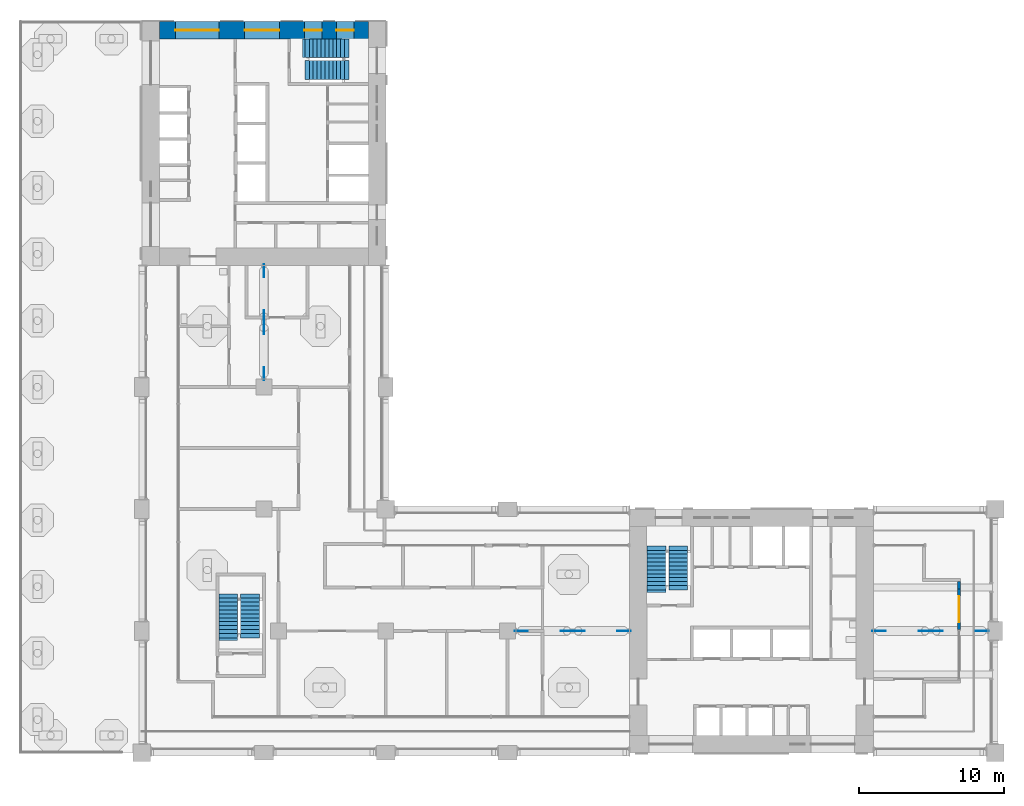
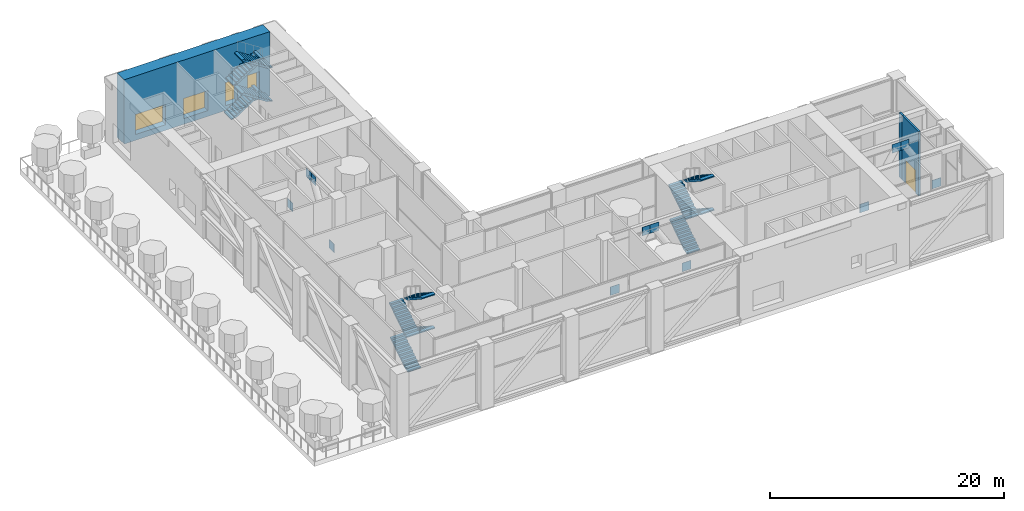
# One storey, part 13 of 22: 12 discrete accessories, 12 stair flights, 4 windows, 3 walls, 1 door, 5 openings, 3 elements without a shape of their own.
"""IFC4 building model written with IfcOpenShell, lengths in metres."""

from ifc_helpers import new_model, si_unit, direction, frame, frame_2d, origin, origin_2d, place, context, subcontext, project, spatial, polyline, rectangle, outline, extrude, material, layer, layer_set, type_object, element, fill, aggregate, save


model = new_model("IFC4")

# Units and contexts
model_context = context("Model", 3, precision=1e-05, world=origin(), true_north=direction((0.0, 1.0)))
body_context = subcontext(model_context, "Body", "Model", "MODEL_VIEW")
ifc_project = project(units=[si_unit("LENGTHUNIT", "METRE"), si_unit("AREAUNIT", "SQUARE_METRE"), si_unit("VOLUMEUNIT", "CUBIC_METRE"), si_unit("PLANEANGLEUNIT", "RADIAN"), si_unit("MASSUNIT", "GRAM", prefix="KILO")], contexts=[model_context])

# Site, building, storey
site_placement = place(None, origin())
site = spatial("IfcSite", under=ifc_project, at=site_placement, CompositionType="ELEMENT")
building_placement = place(site_placement, origin())
building = spatial("IfcBuilding", under=site, at=building_placement, Name="Vermilion Gate Residences", CompositionType="ELEMENT")
storey_placement = place(building_placement, frame((0.0, 0.0, 140.699951171875)))
storey = spatial("IfcBuildingStorey", under=building, at=storey_placement, Name="L36", CompositionType="ELEMENT", Elevation=140.699951171875)

# Wall, opening, door
ifc_material_1 = material(Name="Insulated steel stud wall with terracotta rainscreen", Category="masonry")
ifc_layer_1 = layer(ifc_material_1, 0.199951171875)
ifc_layer_set_1 = layer_set([ifc_layer_1], Name="EXTERNAL WALL 200 TERRACOTTA RAINSCREEN")
wall_type_1 = type_object("IfcWallType", Name="EXTERNAL WALL 200 TERRACOTTA RAINSCREEN", PredefinedType="SOLIDWALL", material=ifc_layer_set_1)
wall_1_placement = place(storey_placement, frame((64.699951171875, 16.89990234375, 0.0), z_axis=(0.0, 0.0, 1.0), x_axis=(0.0, 1.0, 0.0)))
wall_1 = element("IfcWall", 1, at=wall_1_placement, inside=storey, type_object=wall_type_1, Name="External wall", PredefinedType="SOLIDWALL", context=body_context, shape_type="SweptSolid", body=[
    extrude(rectangle(XDim=2.800048828125, YDim=0.199951171875, at=frame_2d((1.39990234375, 0.0))), origin(), (0.0, 0.0, 1.0), 6.719970703125),
])
opening_1_placement = place(wall_1_placement, frame((0.5, 0.0, 0.0)))
opening_1 = element("IfcOpeningElement", 2, at=opening_1_placement, cuts=wall_1, Name="Opening DE36002", PredefinedType="OPENING", context=body_context, shape_type="SweptSolid", body=[
    extrude(rectangle(XDim=1.800048828125, YDim=2.39990234375, at=frame_2d((0.89990234375, 1.199951171875))), frame((0.0, 0.10986328125, 0.0), z_axis=(0.0, -1.0, 0.0), x_axis=(1.0, 0.0, 0.0)), (0.0, 0.0, 1.0), 0.219970703125),
])
ifc_material_2 = material(Name="Aluminium and clear glass", Category="aluminium")
door_type = type_object("IfcDoorType", Name="GLAZED EXTERNAL DOOR 1800 X 2400", OperationType="DOUBLE_DOOR_SINGLE_SWING", PredefinedType="DOOR", material=ifc_material_2)
door_placement = place(opening_1_placement, frame((1.800048828125, 0.0, 0.0), z_axis=(0.0, 0.0, 1.0), x_axis=(-1.0, 0.0, 0.0)))
door = element("IfcDoor", 3, at=door_placement, inside=storey, type_object=door_type, Name="Terrace door", OperationType="DOUBLE_DOOR_SINGLE_SWING", OverallHeight=2.39990234375, OverallWidth=1.800048828125, PredefinedType="DOOR", context=body_context, shape_type="SweptSolid", body=[
    extrude(rectangle(XDim=1.800048828125, YDim=2.39990234375, at=frame_2d((0.89990234375, 1.199951171875))), frame((0.0, 0.02490234375, 0.0), z_axis=(0.0, -1.0, 0.0), x_axis=(1.0, 0.0, 0.0)), (0.0, 0.0, 1.0), 0.050048828125),
])
fill(opening_1, door)

# Wall
wall_2_placement = place(storey_placement, frame((64.699951171875, 19.699951171875, 0.0), z_axis=(0.0, 0.0, 1.0), x_axis=(0.0, 1.0, 0.0)))
element("IfcWall", 4, at=wall_2_placement, inside=storey, type_object=wall_type_1, Name="External wall", PredefinedType="SOLIDWALL", context=body_context, shape_type="SweptSolid", body=[
    extrude(rectangle(XDim=0.5, YDim=0.199951171875, at=frame_2d((0.25, 0.0))), origin(), (0.0, 0.0, 1.0), 6.719970703125),
])

# Wall, openings, windows
ifc_material_3 = material(Name="Concrete C70 red-oxide pigmented", Category="concrete")
ifc_layer_2 = layer(ifc_material_3, 1.199951171875)
ifc_layer_set_2 = layer_set([ifc_layer_2], Name="RC CORE WALL 1200 C70 RED OXIDE")
wall_type_2 = type_object("IfcWallType", Name="RC CORE WALL 1200 C70 RED OXIDE", PredefinedType="SHEAR", material=ifc_layer_set_2)
wall_3_placement = place(storey_placement, frame((9.60009765625, 58.199951171875, 0.0), z_axis=(0.0, 0.0, 1.0), x_axis=(1.0, 0.0, 0.0)))
wall_3 = element("IfcWall", 5, at=wall_3_placement, inside=storey, type_object=wall_type_2, Name="Core wall B36-OUT-FR", PredefinedType="SHEAR", context=body_context, shape_type="SweptSolid", body=[
    extrude(rectangle(XDim=14.39990234375, YDim=1.199951171875, at=frame_2d((7.199951171875, 0.0))), origin(), (0.0, 0.0, 1.0), 6.719970703125),
])
opening_2_placement = place(wall_3_placement, frame((1.10498046875, 0.0, 0.60009765625)))
opening_2 = element("IfcOpeningElement", 6, at=opening_2_placement, cuts=wall_3, Name="Opening WKB3610", PredefinedType="OPENING", context=body_context, shape_type="SweptSolid", body=[
    extrude(rectangle(XDim=3.0, YDim=2.10009765625, at=frame_2d((1.5, 1.050048828125))), frame((0.0, 0.60986328125, 0.0), z_axis=(0.0, -1.0, 0.0), x_axis=(1.0, 0.0, 0.0)), (0.0, 0.0, 1.0), 1.219970703125),
])
opening_3_placement = place(wall_3_placement, frame((5.875, 0.0, 0.60009765625)))
opening_3 = element("IfcOpeningElement", 7, at=opening_3_placement, cuts=wall_3, Name="Opening WKB3611", PredefinedType="OPENING", context=body_context, shape_type="SweptSolid", body=[
    extrude(rectangle(XDim=2.39990234375, YDim=2.10009765625, at=frame_2d((1.199951171875, 1.050048828125))), frame((0.0, 0.60986328125, 0.0), z_axis=(0.0, -1.0, 0.0), x_axis=(1.0, 0.0, 0.0)), (0.0, 0.0, 1.0), 1.219970703125),
])
opening_4_placement = place(wall_3_placement, frame((9.993408203125, 0.0, 0.5)))
opening_4 = element("IfcOpeningElement", 8, at=opening_4_placement, cuts=wall_3, Name="Opening WKB3612", PredefinedType="OPENING", context=body_context, shape_type="SweptSolid", body=[
    extrude(rectangle(XDim=1.199951171875, YDim=2.39990234375, at=frame_2d((0.60009765625, 1.199951171875))), frame((0.0, 0.60986328125, 0.0), z_axis=(0.0, -1.0, 0.0), x_axis=(1.0, 0.0, 0.0)), (0.0, 0.0, 1.0), 1.219970703125),
])
opening_5_placement = place(wall_3_placement, frame((12.19677734375, 0.0, 0.5)))
opening_5 = element("IfcOpeningElement", 9, at=opening_5_placement, cuts=wall_3, Name="Opening WKB3613", PredefinedType="OPENING", context=body_context, shape_type="SweptSolid", body=[
    extrude(rectangle(XDim=1.199951171875, YDim=2.39990234375, at=frame_2d((0.60009765625, 1.199951171875))), frame((0.0, 0.60986328125, 0.0), z_axis=(0.0, -1.0, 0.0), x_axis=(1.0, 0.0, 0.0)), (0.0, 0.0, 1.0), 1.219970703125),
])
ifc_material_4 = material(Name="Aluminium and clear glass", Category="aluminium")
window_type_1 = type_object("IfcWindowType", Name="CORE LOBBY WINDOW 2400 X 2100", PartitioningType="SINGLE_PANEL", PredefinedType="WINDOW", material=ifc_material_4)
window_1_placement = place(opening_3_placement, origin())
window_1 = element("IfcWindow", 10, at=window_1_placement, inside=storey, type_object=window_type_1, Name="Core lobby window", OverallHeight=2.10009765625, OverallWidth=2.39990234375, PartitioningType="SINGLE_PANEL", PredefinedType="WINDOW", context=body_context, shape_type="SweptSolid", body=[
    extrude(rectangle(XDim=2.39990234375, YDim=2.10009765625, at=frame_2d((1.199951171875, 1.050048828125))), frame((0.0, 0.030029296875, 0.0), z_axis=(0.0, -1.0, 0.0), x_axis=(1.0, 0.0, 0.0)), (0.0, 0.0, 1.0), 0.06005859375),
])
fill(opening_3, window_1)
ifc_material_5 = material(Name="Aluminium and clear glass", Category="aluminium")
window_type_2 = type_object("IfcWindowType", Name="CORE LOBBY WINDOW 3000 X 2100", PartitioningType="SINGLE_PANEL", PredefinedType="WINDOW", material=ifc_material_5)
window_2_placement = place(opening_2_placement, origin())
window_2 = element("IfcWindow", 11, at=window_2_placement, inside=storey, type_object=window_type_2, Name="Core lobby window", OverallHeight=2.10009765625, OverallWidth=3.0, PartitioningType="SINGLE_PANEL", PredefinedType="WINDOW", context=body_context, shape_type="SweptSolid", body=[
    extrude(rectangle(XDim=3.0, YDim=2.10009765625, at=frame_2d((1.5, 1.050048828125))), frame((0.0, 0.030029296875, 0.0), z_axis=(0.0, -1.0, 0.0), x_axis=(1.0, 0.0, 0.0)), (0.0, 0.0, 1.0), 0.06005859375),
])
fill(opening_2, window_2)
ifc_material_6 = material(Name="Aluminium and clear glass", Category="aluminium")
window_type_3 = type_object("IfcWindowType", Name="CORE STAIR WINDOW 1200 X 2400", PartitioningType="SINGLE_PANEL", PredefinedType="WINDOW", material=ifc_material_6)
window_3_placement = place(opening_4_placement, origin())
window_3 = element("IfcWindow", 12, at=window_3_placement, inside=storey, type_object=window_type_3, Name="Core stair window", OverallHeight=2.39990234375, OverallWidth=1.199951171875, PartitioningType="SINGLE_PANEL", PredefinedType="WINDOW", context=body_context, shape_type="SweptSolid", body=[
    extrude(rectangle(XDim=1.199951171875, YDim=2.39990234375, at=frame_2d((0.60009765625, 1.199951171875))), frame((0.0, 0.030029296875, 0.0), z_axis=(0.0, -1.0, 0.0), x_axis=(1.0, 0.0, 0.0)), (0.0, 0.0, 1.0), 0.06005859375),
])
fill(opening_4, window_3)
window_4_placement = place(opening_5_placement, origin())
window_4 = element("IfcWindow", 13, at=window_4_placement, inside=storey, type_object=window_type_3, Name="Core stair window", OverallHeight=2.39990234375, OverallWidth=1.199951171875, PartitioningType="SINGLE_PANEL", PredefinedType="WINDOW", context=body_context, shape_type="SweptSolid", body=[
    extrude(rectangle(XDim=1.199951171875, YDim=2.39990234375, at=frame_2d((0.60009765625, 1.199951171875))), frame((0.0, 0.030029296875, 0.0), z_axis=(0.0, -1.0, 0.0), x_axis=(1.0, 0.0, 0.0)), (0.0, 0.0, 1.0), 0.06005859375),
])
fill(opening_5, window_4)

# Stair, stair flights
ifc_material_7 = material(Name="Concrete C50", Category="concrete")
stair_type = type_object("IfcStairType", Name="SPECIAL ESCAPE STAIR 1300", PredefinedType="HALF_TURN_STAIR", material=ifc_material_7)
stair_1_placement = place(storey_placement, origin())
stair_1 = element("IfcStair", 14, at=stair_1_placement, inside=storey, type_object=stair_type, Name="Special escape stair STA1-36", PredefinedType="HALF_TURN_STAIR")
ifc_material_8 = material(Name="Concrete C50", Category="concrete")
stair_flight_type = type_object("IfcStairFlightType", Name="STAIR FLIGHT 1300 RC C50", PredefinedType="STRAIGHT", material=ifc_material_8)
stair_flight_1_placement = place(storey_placement, frame((43.85009765625, 19.75, 0.0), z_axis=(0.0, 0.0, 1.0), x_axis=(0.0, 1.0, 0.0)))
stair_flight_1 = element("IfcStairFlight", 15, at=stair_flight_1_placement, type_object=stair_flight_type, Name="STA1-36 flight 1", NumberOfRisers=10, NumberOfTreads=9, PredefinedType="STRAIGHT", RiserHeight=0.175, TreadLength=0.27, context=body_context, shape_type="SweptSolid", body=[
    extrude(outline(polyline([(-0.300048828125, -0.14990234375), (-0.300048828125, -0.030029296875), (0.0, 0.0), (0.0, 0.175048828125), (0.27001953125, 0.175048828125), (0.27001953125, 0.35009765625), (0.5400390625, 0.35009765625), (0.5400390625, 0.52490234375), (0.81005859375, 0.52490234375), (0.81005859375, 0.699951171875), (1.080078125, 0.699951171875), (1.080078125, 0.875), (1.35009765625, 0.875), (1.35009765625, 1.050048828125), (1.6201171875, 1.050048828125), (1.6201171875, 1.22509765625), (1.889892578125, 1.22509765625), (1.889892578125, 1.39990234375), (2.159912109375, 1.39990234375), (2.159912109375, 1.574951171875), (2.429931640625, 1.574951171875), (2.429931640625, 1.75), (2.72998046875, 1.719970703125), (2.72998046875, 1.60009765625), (2.429931640625, 1.396484375), (0.275634765625, 0.0), (-0.300048828125, -0.14990234375)])), frame((0.0, 0.64990234375, 0.0), z_axis=(0.0, -1.0, 0.0), x_axis=(1.0, 0.0, 0.0)), (0.0, 0.0, 1.0), 1.300048828125),
])
stair_flight_2_placement = place(storey_placement, frame((45.35009765625, 22.360107421875, 1.75), z_axis=(0.0, 0.0, 1.0), x_axis=(0.0, -1.0, 0.0)))
stair_flight_2 = element("IfcStairFlight", 16, at=stair_flight_2_placement, type_object=stair_flight_type, Name="STA1-36 flight 2", NumberOfRisers=10, NumberOfTreads=9, PredefinedType="STRAIGHT", RiserHeight=0.175, TreadLength=0.27, context=body_context, shape_type="SweptSolid", body=[
    extrude(outline(polyline([(-0.300048828125, -0.14990234375), (-0.300048828125, -0.030029296875), (0.0, 0.0), (0.0, 0.175048828125), (0.27001953125, 0.175048828125), (0.27001953125, 0.35009765625), (0.5400390625, 0.35009765625), (0.5400390625, 0.52490234375), (0.81005859375, 0.52490234375), (0.81005859375, 0.699951171875), (1.080078125, 0.699951171875), (1.080078125, 0.875), (1.35009765625, 0.875), (1.35009765625, 1.050048828125), (1.6201171875, 1.050048828125), (1.6201171875, 1.22509765625), (1.889892578125, 1.22509765625), (1.889892578125, 1.39990234375), (2.159912109375, 1.39990234375), (2.159912109375, 1.574951171875), (2.429931640625, 1.574951171875), (2.429931640625, 1.75), (2.72998046875, 1.719970703125), (2.72998046875, 1.60009765625), (2.429931640625, 1.396484375), (0.275634765625, 0.0), (-0.300048828125, -0.14990234375)])), frame((0.0, 0.64990234375, 0.0), z_axis=(0.0, -1.0, 0.0), x_axis=(1.0, 0.0, 0.0)), (0.0, 0.0, 1.0), 1.300048828125),
])
stair_flight_3_placement = place(storey_placement, frame((43.85009765625, 19.929931640625, 3.5), z_axis=(0.0, 0.0, 1.0), x_axis=(0.0, 1.0, 0.0)))
stair_flight_3 = element("IfcStairFlight", 17, at=stair_flight_3_placement, type_object=stair_flight_type, Name="STA1-36 flight 3", NumberOfRisers=10, NumberOfTreads=9, PredefinedType="STRAIGHT", RiserHeight=0.175, TreadLength=0.27, context=body_context, shape_type="SweptSolid", body=[
    extrude(outline(polyline([(-0.300048828125, -0.14990234375), (-0.300048828125, -0.030029296875), (0.0, 0.0), (0.0, 0.175048828125), (0.27001953125, 0.175048828125), (0.27001953125, 0.35009765625), (0.5400390625, 0.35009765625), (0.5400390625, 0.52490234375), (0.81005859375, 0.52490234375), (0.81005859375, 0.699951171875), (1.080078125, 0.699951171875), (1.080078125, 0.875), (1.35009765625, 0.875), (1.35009765625, 1.050048828125), (1.6201171875, 1.050048828125), (1.6201171875, 1.22509765625), (1.889892578125, 1.22509765625), (1.889892578125, 1.39990234375), (2.159912109375, 1.39990234375), (2.159912109375, 1.574951171875), (2.429931640625, 1.574951171875), (2.429931640625, 1.75), (2.72998046875, 1.719970703125), (2.72998046875, 1.60009765625), (2.429931640625, 1.396484375), (0.275634765625, 0.0), (-0.300048828125, -0.14990234375)])), frame((0.0, 0.64990234375, 0.0), z_axis=(0.0, -1.0, 0.0), x_axis=(1.0, 0.0, 0.0)), (0.0, 0.0, 1.0), 1.300048828125),
])
stair_flight_4_placement = place(storey_placement, frame((45.35009765625, 22.360107421875, 5.25), z_axis=(0.0, 0.0, 1.0), x_axis=(0.0, -1.0, 0.0)))
stair_flight_4 = element("IfcStairFlight", 18, at=stair_flight_4_placement, type_object=stair_flight_type, Name="STA1-36 flight 4", NumberOfRisers=10, NumberOfTreads=9, PredefinedType="STRAIGHT", RiserHeight=0.175, TreadLength=0.27, context=body_context, shape_type="SweptSolid", body=[
    extrude(outline(polyline([(-0.300048828125, -0.14990234375), (-0.300048828125, -0.030029296875), (0.0, 0.0), (0.0, 0.175048828125), (0.27001953125, 0.175048828125), (0.27001953125, 0.35009765625), (0.5400390625, 0.35009765625), (0.5400390625, 0.52490234375), (0.81005859375, 0.52490234375), (0.81005859375, 0.699951171875), (1.080078125, 0.699951171875), (1.080078125, 0.875), (1.35009765625, 0.875), (1.35009765625, 1.050048828125), (1.6201171875, 1.050048828125), (1.6201171875, 1.22509765625), (1.889892578125, 1.22509765625), (1.889892578125, 1.39990234375), (2.159912109375, 1.39990234375), (2.159912109375, 1.574951171875), (2.429931640625, 1.574951171875), (2.429931640625, 1.75), (2.72998046875, 1.719970703125), (2.72998046875, 1.60009765625), (2.429931640625, 1.396484375), (0.275634765625, 0.0), (-0.300048828125, -0.14990234375)])), frame((0.0, 0.64990234375, 0.0), z_axis=(0.0, -1.0, 0.0), x_axis=(1.0, 0.0, 0.0)), (0.0, 0.0, 1.0), 1.300048828125),
])
aggregate(stair_1, [stair_flight_1, stair_flight_2, stair_flight_3, stair_flight_4])

stair_2_placement = place(storey_placement, origin())
stair_2 = element("IfcStair", 19, at=stair_2_placement, inside=storey, type_object=stair_type, Name="Special escape stair STB1-36", PredefinedType="HALF_TURN_STAIR")
stair_flight_5_placement = place(storey_placement, frame((19.75, 56.949951171875, 0.0), z_axis=(0.0, 0.0, 1.0), x_axis=(1.0, 0.0, 0.0)))
stair_flight_5 = element("IfcStairFlight", 20, at=stair_flight_5_placement, type_object=stair_flight_type, Name="STB1-36 flight 1", NumberOfRisers=10, NumberOfTreads=9, PredefinedType="STRAIGHT", RiserHeight=0.175, TreadLength=0.27, context=body_context, shape_type="SweptSolid", body=[
    extrude(outline(polyline([(-0.300048828125, -0.14990234375), (-0.300048828125, -0.030029296875), (0.0, 0.0), (0.0, 0.175048828125), (0.27001953125, 0.175048828125), (0.27001953125, 0.35009765625), (0.5400390625, 0.35009765625), (0.5400390625, 0.52490234375), (0.81005859375, 0.52490234375), (0.81005859375, 0.699951171875), (1.080078125, 0.699951171875), (1.080078125, 0.875), (1.35009765625, 0.875), (1.35009765625, 1.050048828125), (1.6201171875, 1.050048828125), (1.6201171875, 1.22509765625), (1.889892578125, 1.22509765625), (1.889892578125, 1.39990234375), (2.159912109375, 1.39990234375), (2.159912109375, 1.574951171875), (2.429931640625, 1.574951171875), (2.429931640625, 1.75), (2.72998046875, 1.719970703125), (2.72998046875, 1.60009765625), (2.429931640625, 1.396484375), (0.275634765625, 0.0), (-0.300048828125, -0.14990234375)])), frame((0.0, 0.64990234375, 0.0), z_axis=(0.0, -1.0, 0.0), x_axis=(1.0, 0.0, 0.0)), (0.0, 0.0, 1.0), 1.300048828125),
])
stair_flight_6_placement = place(storey_placement, frame((22.360107421875, 55.449951171875, 1.75), z_axis=(0.0, 0.0, 1.0), x_axis=(-1.0, 0.0, 0.0)))
stair_flight_6 = element("IfcStairFlight", 21, at=stair_flight_6_placement, type_object=stair_flight_type, Name="STB1-36 flight 2", NumberOfRisers=10, NumberOfTreads=9, PredefinedType="STRAIGHT", RiserHeight=0.175, TreadLength=0.27, context=body_context, shape_type="SweptSolid", body=[
    extrude(outline(polyline([(-0.300048828125, -0.14990234375), (-0.300048828125, -0.030029296875), (0.0, 0.0), (0.0, 0.175048828125), (0.27001953125, 0.175048828125), (0.27001953125, 0.35009765625), (0.5400390625, 0.35009765625), (0.5400390625, 0.52490234375), (0.81005859375, 0.52490234375), (0.81005859375, 0.699951171875), (1.080078125, 0.699951171875), (1.080078125, 0.875), (1.35009765625, 0.875), (1.35009765625, 1.050048828125), (1.6201171875, 1.050048828125), (1.6201171875, 1.22509765625), (1.889892578125, 1.22509765625), (1.889892578125, 1.39990234375), (2.159912109375, 1.39990234375), (2.159912109375, 1.574951171875), (2.429931640625, 1.574951171875), (2.429931640625, 1.75), (2.72998046875, 1.719970703125), (2.72998046875, 1.60009765625), (2.429931640625, 1.396484375), (0.275634765625, 0.0), (-0.300048828125, -0.14990234375)])), frame((0.0, 0.64990234375, 0.0), z_axis=(0.0, -1.0, 0.0), x_axis=(1.0, 0.0, 0.0)), (0.0, 0.0, 1.0), 1.300048828125),
])
stair_flight_7_placement = place(storey_placement, frame((19.929931640625, 56.949951171875, 3.5), z_axis=(0.0, 0.0, 1.0), x_axis=(1.0, 0.0, 0.0)))
stair_flight_7 = element("IfcStairFlight", 22, at=stair_flight_7_placement, type_object=stair_flight_type, Name="STB1-36 flight 3", NumberOfRisers=10, NumberOfTreads=9, PredefinedType="STRAIGHT", RiserHeight=0.175, TreadLength=0.27, context=body_context, shape_type="SweptSolid", body=[
    extrude(outline(polyline([(-0.300048828125, -0.14990234375), (-0.300048828125, -0.030029296875), (0.0, 0.0), (0.0, 0.175048828125), (0.27001953125, 0.175048828125), (0.27001953125, 0.35009765625), (0.5400390625, 0.35009765625), (0.5400390625, 0.52490234375), (0.81005859375, 0.52490234375), (0.81005859375, 0.699951171875), (1.080078125, 0.699951171875), (1.080078125, 0.875), (1.35009765625, 0.875), (1.35009765625, 1.050048828125), (1.6201171875, 1.050048828125), (1.6201171875, 1.22509765625), (1.889892578125, 1.22509765625), (1.889892578125, 1.39990234375), (2.159912109375, 1.39990234375), (2.159912109375, 1.574951171875), (2.429931640625, 1.574951171875), (2.429931640625, 1.75), (2.72998046875, 1.719970703125), (2.72998046875, 1.60009765625), (2.429931640625, 1.396484375), (0.275634765625, 0.0), (-0.300048828125, -0.14990234375)])), frame((0.0, 0.64990234375, 0.0), z_axis=(0.0, -1.0, 0.0), x_axis=(1.0, 0.0, 0.0)), (0.0, 0.0, 1.0), 1.300048828125),
])
stair_flight_8_placement = place(storey_placement, frame((22.360107421875, 55.449951171875, 5.25), z_axis=(0.0, 0.0, 1.0), x_axis=(-1.0, 0.0, 0.0)))
stair_flight_8 = element("IfcStairFlight", 23, at=stair_flight_8_placement, type_object=stair_flight_type, Name="STB1-36 flight 4", NumberOfRisers=10, NumberOfTreads=9, PredefinedType="STRAIGHT", RiserHeight=0.175, TreadLength=0.27, context=body_context, shape_type="SweptSolid", body=[
    extrude(outline(polyline([(-0.300048828125, -0.14990234375), (-0.300048828125, -0.030029296875), (0.0, 0.0), (0.0, 0.175048828125), (0.27001953125, 0.175048828125), (0.27001953125, 0.35009765625), (0.5400390625, 0.35009765625), (0.5400390625, 0.52490234375), (0.81005859375, 0.52490234375), (0.81005859375, 0.699951171875), (1.080078125, 0.699951171875), (1.080078125, 0.875), (1.35009765625, 0.875), (1.35009765625, 1.050048828125), (1.6201171875, 1.050048828125), (1.6201171875, 1.22509765625), (1.889892578125, 1.22509765625), (1.889892578125, 1.39990234375), (2.159912109375, 1.39990234375), (2.159912109375, 1.574951171875), (2.429931640625, 1.574951171875), (2.429931640625, 1.75), (2.72998046875, 1.719970703125), (2.72998046875, 1.60009765625), (2.429931640625, 1.396484375), (0.275634765625, 0.0), (-0.300048828125, -0.14990234375)])), frame((0.0, 0.64990234375, 0.0), z_axis=(0.0, -1.0, 0.0), x_axis=(1.0, 0.0, 0.0)), (0.0, 0.0, 1.0), 1.300048828125),
])
aggregate(stair_2, [stair_flight_5, stair_flight_6, stair_flight_7, stair_flight_8])

stair_3_placement = place(storey_placement, origin())
stair_3 = element("IfcStair", 24, at=stair_3_placement, inside=storey, type_object=stair_type, Name="Special escape stair STC1-36", PredefinedType="HALF_TURN_STAIR")
stair_flight_9_placement = place(storey_placement, frame((14.35009765625, 16.449951171875, 0.0), z_axis=(0.0, 0.0, 1.0), x_axis=(0.0, 1.0, 0.0)))
stair_flight_9 = element("IfcStairFlight", 25, at=stair_flight_9_placement, type_object=stair_flight_type, Name="STC1-36 flight 1", NumberOfRisers=10, NumberOfTreads=9, PredefinedType="STRAIGHT", RiserHeight=0.175, TreadLength=0.27, context=body_context, shape_type="SweptSolid", body=[
    extrude(outline(polyline([(-0.300048828125, -0.14990234375), (-0.300048828125, -0.030029296875), (0.0, 0.0), (0.0, 0.175048828125), (0.27001953125, 0.175048828125), (0.27001953125, 0.35009765625), (0.5400390625, 0.35009765625), (0.5400390625, 0.52490234375), (0.81005859375, 0.52490234375), (0.81005859375, 0.699951171875), (1.080078125, 0.699951171875), (1.080078125, 0.875), (1.35009765625, 0.875), (1.35009765625, 1.050048828125), (1.6201171875, 1.050048828125), (1.6201171875, 1.22509765625), (1.889892578125, 1.22509765625), (1.889892578125, 1.39990234375), (2.159912109375, 1.39990234375), (2.159912109375, 1.574951171875), (2.429931640625, 1.574951171875), (2.429931640625, 1.75), (2.72998046875, 1.719970703125), (2.72998046875, 1.60009765625), (2.429931640625, 1.396484375), (0.275634765625, 0.0), (-0.300048828125, -0.14990234375)])), frame((0.0, 0.64990234375, 0.0), z_axis=(0.0, -1.0, 0.0), x_axis=(1.0, 0.0, 0.0)), (0.0, 0.0, 1.0), 1.300048828125),
])
stair_flight_10_placement = place(storey_placement, frame((15.85009765625, 19.06005859375, 1.75), z_axis=(0.0, 0.0, 1.0), x_axis=(0.0, -1.0, 0.0)))
stair_flight_10 = element("IfcStairFlight", 26, at=stair_flight_10_placement, type_object=stair_flight_type, Name="STC1-36 flight 2", NumberOfRisers=10, NumberOfTreads=9, PredefinedType="STRAIGHT", RiserHeight=0.175, TreadLength=0.27, context=body_context, shape_type="SweptSolid", body=[
    extrude(outline(polyline([(-0.300048828125, -0.14990234375), (-0.300048828125, -0.030029296875), (0.0, 0.0), (0.0, 0.175048828125), (0.27001953125, 0.175048828125), (0.27001953125, 0.35009765625), (0.5400390625, 0.35009765625), (0.5400390625, 0.52490234375), (0.81005859375, 0.52490234375), (0.81005859375, 0.699951171875), (1.080078125, 0.699951171875), (1.080078125, 0.875), (1.35009765625, 0.875), (1.35009765625, 1.050048828125), (1.6201171875, 1.050048828125), (1.6201171875, 1.22509765625), (1.889892578125, 1.22509765625), (1.889892578125, 1.39990234375), (2.159912109375, 1.39990234375), (2.159912109375, 1.574951171875), (2.429931640625, 1.574951171875), (2.429931640625, 1.75), (2.72998046875, 1.719970703125), (2.72998046875, 1.60009765625), (2.429931640625, 1.396484375), (0.275634765625, 0.0), (-0.300048828125, -0.14990234375)])), frame((0.0, 0.64990234375, 0.0), z_axis=(0.0, -1.0, 0.0), x_axis=(1.0, 0.0, 0.0)), (0.0, 0.0, 1.0), 1.300048828125),
])
stair_flight_11_placement = place(storey_placement, frame((14.35009765625, 16.6298828125, 3.5), z_axis=(0.0, 0.0, 1.0), x_axis=(0.0, 1.0, 0.0)))
stair_flight_11 = element("IfcStairFlight", 27, at=stair_flight_11_placement, type_object=stair_flight_type, Name="STC1-36 flight 3", NumberOfRisers=10, NumberOfTreads=9, PredefinedType="STRAIGHT", RiserHeight=0.175, TreadLength=0.27, context=body_context, shape_type="SweptSolid", body=[
    extrude(outline(polyline([(-0.300048828125, -0.14990234375), (-0.300048828125, -0.030029296875), (0.0, 0.0), (0.0, 0.175048828125), (0.27001953125, 0.175048828125), (0.27001953125, 0.35009765625), (0.5400390625, 0.35009765625), (0.5400390625, 0.52490234375), (0.81005859375, 0.52490234375), (0.81005859375, 0.699951171875), (1.080078125, 0.699951171875), (1.080078125, 0.875), (1.35009765625, 0.875), (1.35009765625, 1.050048828125), (1.6201171875, 1.050048828125), (1.6201171875, 1.22509765625), (1.889892578125, 1.22509765625), (1.889892578125, 1.39990234375), (2.159912109375, 1.39990234375), (2.159912109375, 1.574951171875), (2.429931640625, 1.574951171875), (2.429931640625, 1.75), (2.72998046875, 1.719970703125), (2.72998046875, 1.60009765625), (2.429931640625, 1.396484375), (0.275634765625, 0.0), (-0.300048828125, -0.14990234375)])), frame((0.0, 0.64990234375, 0.0), z_axis=(0.0, -1.0, 0.0), x_axis=(1.0, 0.0, 0.0)), (0.0, 0.0, 1.0), 1.300048828125),
])
stair_flight_12_placement = place(storey_placement, frame((15.85009765625, 19.06005859375, 5.25), z_axis=(0.0, 0.0, 1.0), x_axis=(0.0, -1.0, 0.0)))
stair_flight_12 = element("IfcStairFlight", 28, at=stair_flight_12_placement, type_object=stair_flight_type, Name="STC1-36 flight 4", NumberOfRisers=10, NumberOfTreads=9, PredefinedType="STRAIGHT", RiserHeight=0.175, TreadLength=0.27, context=body_context, shape_type="SweptSolid", body=[
    extrude(outline(polyline([(-0.300048828125, -0.14990234375), (-0.300048828125, -0.030029296875), (0.0, 0.0), (0.0, 0.175048828125), (0.27001953125, 0.175048828125), (0.27001953125, 0.35009765625), (0.5400390625, 0.35009765625), (0.5400390625, 0.52490234375), (0.81005859375, 0.52490234375), (0.81005859375, 0.699951171875), (1.080078125, 0.699951171875), (1.080078125, 0.875), (1.35009765625, 0.875), (1.35009765625, 1.050048828125), (1.6201171875, 1.050048828125), (1.6201171875, 1.22509765625), (1.889892578125, 1.22509765625), (1.889892578125, 1.39990234375), (2.159912109375, 1.39990234375), (2.159912109375, 1.574951171875), (2.429931640625, 1.574951171875), (2.429931640625, 1.75), (2.72998046875, 1.719970703125), (2.72998046875, 1.60009765625), (2.429931640625, 1.396484375), (0.275634765625, 0.0), (-0.300048828125, -0.14990234375)])), frame((0.0, 0.64990234375, 0.0), z_axis=(0.0, -1.0, 0.0), x_axis=(1.0, 0.0, 0.0)), (0.0, 0.0, 1.0), 1.300048828125),
])
aggregate(stair_3, [stair_flight_9, stair_flight_10, stair_flight_11, stair_flight_12])

# Discrete accessories
for number, where, z_axis, x_axis, name in (
    (29, (41.615966796875, 16.800048828125, 0.35009765625), (0.0, 0.0, 1.0), (1.0, 0.0, 0.0), "Gusset plate O36OUT5D1 1"),
    (30, (38.458984375, 16.800048828125, 5.47021484375), (0.0, 0.0, 1.0), (1.0, 0.0, 0.0), "Gusset plate O36OUT5D1 2"),
    (31, (37.69091796875, 16.800048828125, 5.47021484375), (0.0, 0.0, 1.0), (1.0, 0.0, 0.0), "Gusset plate O36OUT5D2 1"),
    (32, (34.5341796875, 16.800048828125, 0.35009765625), (0.0, 0.0, 1.0), (1.0, 0.0, 0.0), "Gusset plate O36OUT5D2 2"),
    (33, (59.18505859375, 16.800048828125, 0.35009765625), (0.0, 0.0, 1.0), (1.0, 0.0, 0.0), "Gusset plate O36OUT6D1 1"),
    (34, (62.364990234375, 16.800048828125, 5.47021484375), (0.0, 0.0, 1.0), (1.0, 0.0, 0.0), "Gusset plate O36OUT6D1 2"),
    (35, (63.135009765625, 16.800048828125, 5.47021484375), (0.0, 0.0, 1.0), (1.0, 0.0, 0.0), "Gusset plate O36OUT6D2 1"),
    (36, (66.31494140625, 16.800048828125, 0.35009765625), (0.0, 0.0, 1.0), (1.0, 0.0, 0.0), "Gusset plate O36OUT6D2 2"),
):
    element("IfcDiscreteAccessory", number, at=place(storey_placement, frame(where, z_axis=z_axis, x_axis=x_axis)), inside=storey, Name=name, ObjectType="GUSSET PLATE", PredefinedType="USERDEFINED", context=body_context, shape_type="SweptSolid", body=[
        extrude(rectangle(XDim=0.89990234375, YDim=0.030029296875, at=origin_2d()), origin(), (0.0, 0.0, 1.0), 0.89990234375),
    ])
for number, where, z_axis, x_axis, name in (
    (37, (16.800048828125, 41.615966796875, 0.35009765625), (0.0, 0.0, 1.0), (1.0, 0.0, 0.0), "Gusset plate O36OUT7D1 1"),
    (38, (16.800048828125, 38.458984375, 5.47021484375), (0.0, 0.0, 1.0), (1.0, 0.0, 0.0), "Gusset plate O36OUT7D1 2"),
    (39, (16.800048828125, 37.69091796875, 5.47021484375), (0.0, 0.0, 1.0), (1.0, 0.0, 0.0), "Gusset plate O36OUT7D2 1"),
    (40, (16.800048828125, 34.5341796875, 0.35009765625), (0.0, 0.0, 1.0), (1.0, 0.0, 0.0), "Gusset plate O36OUT7D2 2"),
):
    element("IfcDiscreteAccessory", number, at=place(storey_placement, frame(where, z_axis=z_axis, x_axis=x_axis)), inside=storey, Name=name, ObjectType="GUSSET PLATE", PredefinedType="USERDEFINED", context=body_context, shape_type="SweptSolid", body=[
        extrude(rectangle(XDim=0.030029296875, YDim=0.89990234375, at=origin_2d()), origin(), (0.0, 0.0, 1.0), 0.89990234375),
    ])

save(model, "model.ifc")
